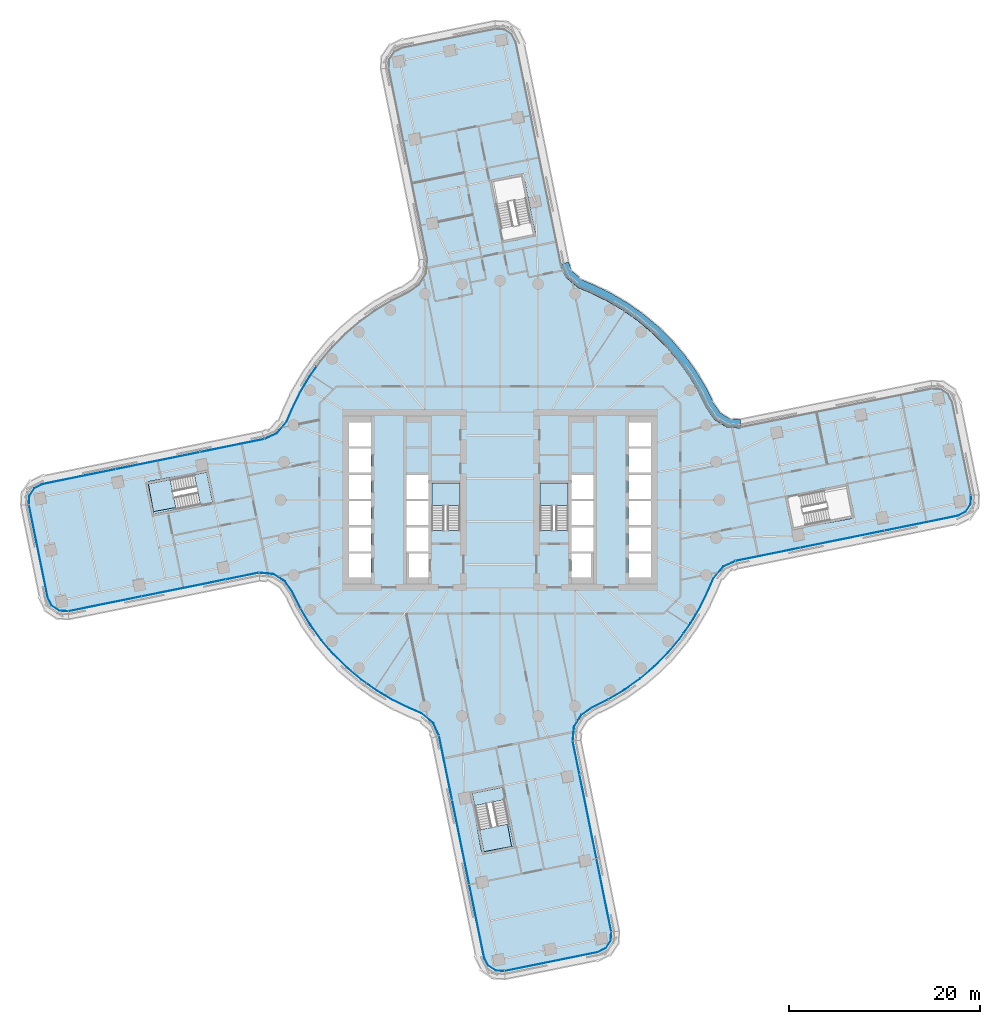
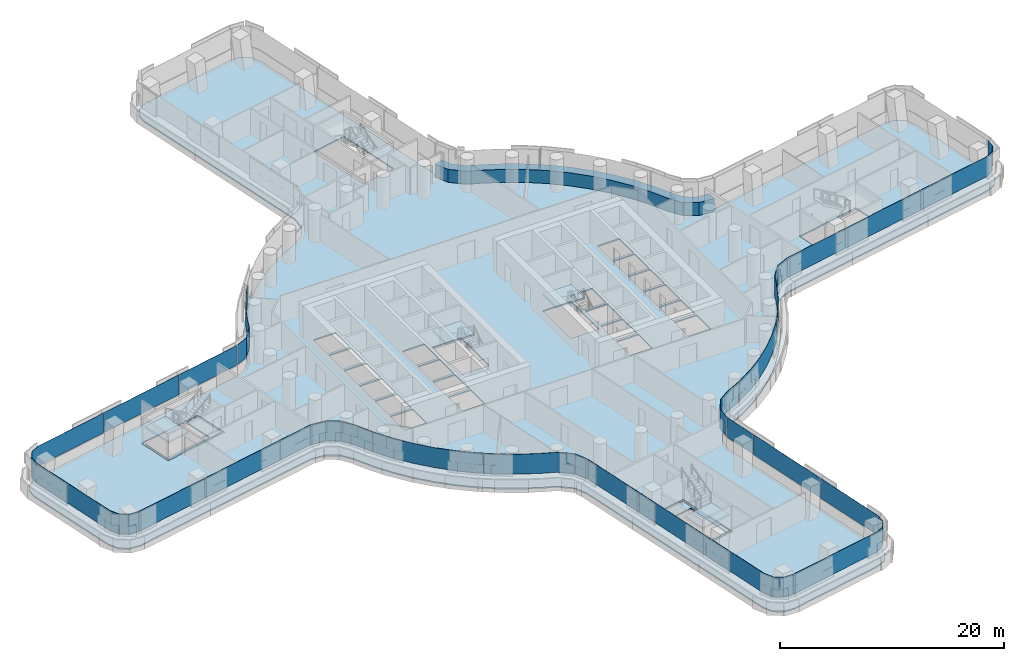
# One storey, part 16 of 31: 24 plates, 7 slabs, 1 member, 15 elements without a shape of their own.
"""IFC4 building model written with IfcOpenShell, lengths in metres."""

from ifc_helpers import new_model, si_unit, direction, frame, origin, place, context, subcontext, project, spatial, polyline, outline, extrude, material, layer, layer_set, type_object, element, aggregate, save


model = new_model("IFC4")

# Units and contexts
model_context = context("Model", 3, precision=1e-05, world=origin(), true_north=direction((0.0, 1.0)))
body_context = subcontext(model_context, "Body", "Model", "MODEL_VIEW")
ifc_project = project(units=[si_unit("LENGTHUNIT", "METRE"), si_unit("AREAUNIT", "SQUARE_METRE"), si_unit("VOLUMEUNIT", "CUBIC_METRE"), si_unit("PLANEANGLEUNIT", "RADIAN"), si_unit("MASSUNIT", "GRAM", prefix="KILO")], contexts=[model_context])

# Site, building, storey
site_placement = place(None, origin())
site = spatial("IfcSite", under=ifc_project, at=site_placement, CompositionType="ELEMENT")
building_placement = place(site_placement, origin())
building = spatial("IfcBuilding", under=site, at=building_placement, Name="Tamarind Cross Interchange Tower", CompositionType="ELEMENT")
storey_placement = place(building_placement, frame((0.0, 0.0, 75.25)))
storey = spatial("IfcBuildingStorey", under=building, at=storey_placement, Name="L17", CompositionType="ELEMENT", Elevation=75.25)

# Curtain wall, member
ifc_material_1 = material(Name="Aluminium 6063-T6", Category="aluminium")
ifc_layer_1 = layer(ifc_material_1, 0.159912109375)
ifc_layer_set_1 = layer_set([ifc_layer_1], Name="Aluminium 6063-T6")
curtain_wall_type = type_object("IfcCurtainWallType", Name="Office curtain wall, 9.0 m bays", PredefinedType="NOTDEFINED", material=ifc_layer_set_1)
curtain_wall_1_placement = place(storey_placement, origin())
curtain_wall_1 = element("IfcCurtainWall", 1, at=curtain_wall_1_placement, inside=storey, type_object=curtain_wall_type, Name="CWS-L17-10", PredefinedType="NOTDEFINED")
ifc_material_2 = material(Name="Aluminium and insulated spandrel panel", Category="aluminium")
member_type = type_object("IfcMemberType", Name="Floor-edge blade transom", PredefinedType="USERDEFINED", material=ifc_material_2)
member_placement = place(storey_placement, origin())
member = element("IfcMember", 2, at=member_placement, type_object=member_type, Name="CWT-L17-10", ObjectType="TRANSOM", PredefinedType="USERDEFINED", context=body_context, shape_type="SweptSolid", body=[
    extrude(outline(polyline([(25.258544921875, 7.525634765625), (23.710205078125, 7.6728515625), (22.468505859375, 8.43994140625), (21.674072265625, 9.58056640625), (20.791015625, 11.367431640625), (19.78125, 13.045654296875), (18.636474609375, 14.634521484375), (17.3642578125, 16.12353515625), (15.973388671875, 17.50244140625), (14.4736328125, 18.76171875), (12.874755859375, 19.892822265625), (11.188232421875, 20.88818359375), (9.421142578125, 21.742431640625), (8.19677734375, 22.25439453125), (6.897705078125, 23.34326171875), (6.294921875, 24.6669921875), (7.156494140625, 24.94677734375), (7.632080078125, 23.90185546875), (8.670166015625, 23.031982421875), (9.790771484375, 22.5634765625), (11.613525390625, 21.68212890625), (13.3642578125, 20.64892578125), (15.023681640625, 19.474853515625), (16.580810546875, 18.167724609375), (18.0244140625, 16.736572265625), (19.344970703125, 15.19091796875), (20.533203125, 13.54150390625), (21.581298828125, 11.799560546875), (22.451171875, 10.03955078125), (23.100341796875, 9.107421875), (24.00439453125, 8.548828125), (25.211181640625, 8.434326171875), (25.258544921875, 7.525634765625)])), origin(), (0.0, 0.0, 1.0), 1.39990234375),
])
aggregate(curtain_wall_1, [member])

# Slabs
ifc_material_3 = material(Name="Concrete C35", Category="concrete")
ifc_layer_2 = layer(ifc_material_3, 0.139892578125)
ifc_layer_set_2 = layer_set([ifc_layer_2], Name="Concrete C35")
slab_type_1 = type_object("IfcSlabType", Name="Composite slab 140 Concrete C35", PredefinedType="FLOOR", material=ifc_layer_set_2)
slab_1_placement = place(storey_placement, frame((0.0, 0.0, -0.139892578125)))
element("IfcSlab", 3, at=slab_1_placement, inside=storey, type_object=slab_type_1, Name="Floor slab L17", PredefinedType="FLOOR", context=body_context, shape_type="SweptSolid", body=[
    extrude(outline(polyline([(-23.529541015625, 7.142578125), (-24.76025390625, 6.58203125), (-48.018798828125, 1.85302734375), (-48.945556640625, 1.39111328125), (-49.51708984375, 0.528076171875), (-49.580322265625, -0.50537109375), (-47.587890625, -10.304931640625), (-47.126220703125, -11.2314453125), (-46.2626953125, -11.802978515625), (-45.2294921875, -11.8662109375), (-25.242919921875, -7.82861328125), (-23.808349609375, -7.96484375), (-22.67919921875, -8.66259765625), (-21.93310546875, -9.7333984375), (-21.054443359375, -11.511474609375), (-20.031982421875, -13.2109375), (-18.87255859375, -14.820068359375), (-17.584228515625, -16.327880859375), (-16.17578125, -17.72412109375), (-14.656982421875, -18.99951171875), (-13.0380859375, -20.14501953125), (-11.329833984375, -21.15283203125), (-9.54443359375, -22.01611328125), (-8.354736328125, -22.513427734375), (-7.142578125, -23.529541015625), (-6.58203125, -24.76025390625), (-1.85302734375, -48.018798828125), (-1.39111328125, -48.945556640625), (-0.528076171875, -49.51708984375), (0.50537109375, -49.580322265625), (10.304931640625, -47.587890625), (11.2314453125, -47.126220703125), (11.802978515625, -46.2626953125), (11.8662109375, -45.2294921875), (7.82861328125, -25.242919921875), (7.96484375, -23.808349609375), (8.66259765625, -22.67919921875), (9.7333984375, -21.93310546875), (11.511474609375, -21.054443359375), (13.2109375, -20.031982421875), (14.820068359375, -18.87255859375), (16.327880859375, -17.584228515625), (17.72412109375, -16.17578125), (18.99951171875, -14.656982421875), (20.14501953125, -13.0380859375), (21.15283203125, -11.329833984375), (22.01611328125, -9.54443359375), (22.513427734375, -8.354736328125), (23.529541015625, -7.142578125), (24.76025390625, -6.58203125), (48.018798828125, -1.85302734375), (48.945556640625, -1.39111328125), (49.51708984375, -0.528076171875), (49.580322265625, 0.50537109375), (47.587890625, 10.304931640625), (47.126220703125, 11.2314453125), (46.2626953125, 11.802978515625), (45.2294921875, 11.8662109375), (25.242919921875, 7.82861328125), (23.808349609375, 7.96484375), (22.67919921875, 8.66259765625), (21.93310546875, 9.7333984375), (21.054443359375, 11.511474609375), (20.031982421875, 13.2109375), (18.87255859375, 14.820068359375), (17.584228515625, 16.327880859375), (16.17578125, 17.72412109375), (14.656982421875, 18.99951171875), (13.0380859375, 20.14501953125), (11.329833984375, 21.15283203125), (9.54443359375, 22.01611328125), (8.354736328125, 22.513427734375), (7.142578125, 23.529541015625), (6.58203125, 24.76025390625), (1.85302734375, 48.018798828125), (1.39111328125, 48.945556640625), (0.528076171875, 49.51708984375), (-0.50537109375, 49.580322265625), (-10.304931640625, 47.587890625), (-11.2314453125, 47.126220703125), (-11.802978515625, 46.2626953125), (-11.8662109375, 45.2294921875), (-7.82861328125, 25.242919921875), (-7.96484375, 23.808349609375), (-8.66259765625, 22.67919921875), (-9.7333984375, 21.93310546875), (-11.511474609375, 21.054443359375), (-13.2109375, 20.031982421875), (-14.820068359375, 18.87255859375), (-16.327880859375, 17.584228515625), (-17.72412109375, 16.17578125), (-18.99951171875, 14.656982421875), (-20.14501953125, 13.0380859375), (-21.15283203125, 11.329833984375), (-22.01611328125, 9.54443359375), (-22.513427734375, 8.354736328125), (-23.529541015625, 7.142578125)]), holes=[polyline([(-13.5, -8.125), (-15.800048828125, -8.125), (-15.800048828125, -5.625), (-13.5, -5.625), (-13.5, -8.125)]), polyline([(-13.5, -5.375), (-15.800048828125, -5.375), (-15.800048828125, -2.875), (-13.5, -2.875), (-13.5, -5.375)]), polyline([(-7.5, -5.375), (-9.800048828125, -5.375), (-9.800048828125, -2.875), (-7.5, -2.875), (-7.5, -5.375)]), polyline([(-15.800048828125, -2.625), (-15.800048828125, -0.125), (-13.5, -0.125), (-13.5, -2.625), (-15.800048828125, -2.625)]), polyline([(-9.800048828125, -2.625), (-9.800048828125, -0.125), (-7.5, -0.125), (-7.5, -2.625), (-9.800048828125, -2.625)]), polyline([(-29.8828125, -0.378173828125), (-36.448486328125, -1.713134765625), (-36.48828125, -1.51708984375), (-37.125732421875, 1.61865234375), (-37.16552734375, 1.814697265625), (-36.88623046875, 1.87158203125), (-36.897216796875, 1.930419921875), (-33.662109375, 2.527099609375), (-30.60009765625, 3.149658203125), (-30.56005859375, 2.95361328125), (-29.922607421875, -0.18212890625), (-29.8828125, -0.378173828125)]), polyline([(-15.800048828125, 0.125), (-15.800048828125, 2.625), (-13.5, 2.625), (-13.5, 0.125), (-15.800048828125, 0.125)]), polyline([(-7.5, 0.125), (-9.800048828125, 0.125), (-9.800048828125, 2.625), (-7.5, 2.625), (-7.5, 0.125)]), polyline([(-13.5, 2.875), (-15.800048828125, 2.875), (-15.800048828125, 5.375), (-13.5, 5.375), (-13.5, 2.875)]), polyline([(-15.800048828125, 5.625), (-15.800048828125, 8.125), (-13.5, 8.125), (-13.5, 5.625), (-15.800048828125, 5.625)]), polyline([(1.713134765625, -36.448486328125), (1.51708984375, -36.48828125), (-1.61865234375, -37.125732421875), (-1.814697265625, -37.16552734375), (-1.87158203125, -36.88623046875), (-1.930419921875, -36.897216796875), (-2.527099609375, -33.662109375), (-3.149658203125, -30.60009765625), (-2.95361328125, -30.56005859375), (0.18212890625, -29.922607421875), (0.378173828125, -29.8828125), (1.713134765625, -36.448486328125)]), polyline([(-9.800048828125, -8.125), (-9.800048828125, -5.625), (-7.5, -5.625), (-7.5, -8.125), (-9.800048828125, -8.125)]), polyline([(-4.199951171875, -3.18798828125), (-7.14990234375, -3.18798828125), (-7.14990234375, 1.800048828125), (-4.199951171875, 1.800048828125), (-4.199951171875, -3.18798828125)]), polyline([(7.14990234375, 1.800048828125), (7.14990234375, -3.18798828125), (4.199951171875, -3.18798828125), (4.199951171875, 1.800048828125), (7.14990234375, 1.800048828125)]), polyline([(7.5, 2.625), (9.800048828125, 2.625), (9.800048828125, 0.125), (7.5, 0.125), (7.5, 2.625)]), polyline([(3.747314453125, 27.66015625), (3.551513671875, 27.620361328125), (0.41552734375, 26.982666015625), (0.219482421875, 26.94287109375), (-1.115478515625, 33.508544921875), (-0.91943359375, 33.54833984375), (2.216552734375, 34.185791015625), (2.412353515625, 34.225830078125), (2.469482421875, 33.94580078125), (2.474609375, 33.94677734375), (2.527099609375, 33.662109375), (3.747314453125, 27.66015625)]), polyline([(7.5, -5.625), (9.800048828125, -5.625), (9.800048828125, -8.125), (7.5, -8.125), (7.5, -5.625)]), polyline([(15.800048828125, -5.625), (15.800048828125, -8.125), (13.5, -8.125), (13.5, -5.625), (15.800048828125, -5.625)]), polyline([(9.800048828125, -2.875), (9.800048828125, -5.375), (7.5, -5.375), (7.5, -2.875), (9.800048828125, -2.875)]), polyline([(13.5, -2.875), (15.800048828125, -2.875), (15.800048828125, -5.375), (13.5, -5.375), (13.5, -2.875)]), polyline([(30.60009765625, -3.149658203125), (30.56005859375, -2.95361328125), (29.922607421875, 0.18212890625), (29.8828125, 0.378173828125), (36.448486328125, 1.713134765625), (36.48828125, 1.51708984375), (37.125732421875, -1.61865234375), (37.16552734375, -1.814697265625), (36.88623046875, -1.87158203125), (36.897216796875, -1.930419921875), (33.662109375, -2.527099609375), (30.60009765625, -3.149658203125)]), polyline([(7.5, -0.125), (9.800048828125, -0.125), (9.800048828125, -2.625), (7.5, -2.625), (7.5, -0.125)]), polyline([(15.800048828125, -0.125), (15.800048828125, -2.625), (13.5, -2.625), (13.5, -0.125), (15.800048828125, -0.125)]), polyline([(13.5, 2.625), (15.800048828125, 2.625), (15.800048828125, 0.125), (13.5, 0.125), (13.5, 2.625)]), polyline([(15.800048828125, 5.375), (15.800048828125, 2.875), (13.5, 2.875), (13.5, 5.375), (15.800048828125, 5.375)]), polyline([(15.800048828125, 8.125), (15.800048828125, 5.625), (13.5, 5.625), (13.5, 8.125), (15.800048828125, 8.125)])]), origin(), (0.0, 0.0, 1.0), 0.139892578125),
])
slab_2_placement = place(storey_placement, frame((0.0, 0.0, -0.139892578125)))
element("IfcSlab", 4, at=slab_2_placement, inside=storey, type_object=slab_type_1, Name="Floor slab L17", PredefinedType="FLOOR", context=body_context, shape_type="SweptSolid", body=[
    extrude(outline(polyline([(-36.9296875, 1.65869140625), (-36.292236328125, -1.477294921875), (-30.118408203125, -0.221923828125), (-30.756103515625, 2.913818359375), (-31.961181640625, 2.668701171875), (-32.041748046875, 2.65234375), (-31.43798828125, -0.31689453125), (-36.31689453125, -1.21630859375), (-36.849853515625, 1.6748046875), (-36.9296875, 1.65869140625)])), origin(), (0.0, 0.0, 1.0), 0.139892578125),
])
slab_3_placement = place(storey_placement, frame((0.0, 0.0, -0.139892578125)))
element("IfcSlab", 5, at=slab_3_placement, inside=storey, type_object=slab_type_1, Name="Floor slab L17", PredefinedType="FLOOR", context=body_context, shape_type="SweptSolid", body=[
    extrude(outline(polyline([(-1.65869140625, -36.9296875), (1.477294921875, -36.292236328125), (0.221923828125, -30.118408203125), (-2.913818359375, -30.756103515625), (-2.668701171875, -31.961181640625), (-2.65234375, -32.041748046875), (0.31689453125, -31.43798828125), (1.21630859375, -36.31689453125), (-1.6748046875, -36.849853515625), (-1.65869140625, -36.9296875)])), origin(), (0.0, 0.0, 1.0), 0.139892578125),
])

# Stair, slab
ifc_material_4 = material(Name="Exit stair")
stair_type = type_object("IfcStairType", Name="Exit stair", PredefinedType="HALF_TURN_STAIR", material=ifc_material_4)
stair_1_placement = place(storey_placement, origin())
stair_1 = element("IfcStair", 6, at=stair_1_placement, inside=storey, type_object=stair_type, Name="L17 exit stair ST1", PredefinedType="HALF_TURN_STAIR")
ifc_material_5 = material(Name="Concrete C40", Category="concrete")
ifc_layer_3 = layer(ifc_material_5, 0.199951171875)
ifc_layer_set_3 = layer_set([ifc_layer_3], Name="Concrete C40")
slab_type_2 = type_object("IfcSlabType", Name="Stair landing", PredefinedType="LANDING", material=ifc_layer_set_3)
slab_4_placement = place(storey_placement, frame((0.0, 0.0, 1.675048828125)))
slab_4 = element("IfcSlab", 7, at=slab_4_placement, type_object=slab_type_2, Name="ST1 landing 1", PredefinedType="LANDING", context=body_context, shape_type="SweptSolid", body=[
    extrude(outline(polyline([(-4.199951171875, -0.60009765625), (-4.199951171875, 1.800048828125), (-7.14990234375, 1.800048828125), (-7.14990234375, -0.60009765625), (-4.199951171875, -0.60009765625)])), origin(), (0.0, 0.0, 1.0), 0.199951171875),
])
aggregate(stair_1, [slab_4])

stair_2_placement = place(storey_placement, origin())
stair_2 = element("IfcStair", 8, at=stair_2_placement, inside=storey, type_object=stair_type, Name="L17 exit stair ST2", PredefinedType="HALF_TURN_STAIR")
slab_5_placement = place(storey_placement, frame((0.0, 0.0, 1.675048828125)))
slab_5 = element("IfcSlab", 9, at=slab_5_placement, type_object=slab_type_2, Name="ST2 landing 1", PredefinedType="LANDING", context=body_context, shape_type="SweptSolid", body=[
    extrude(outline(polyline([(7.14990234375, -0.60009765625), (7.14990234375, 1.800048828125), (4.199951171875, 1.800048828125), (4.199951171875, -0.60009765625), (7.14990234375, -0.60009765625)])), origin(), (0.0, 0.0, 1.0), 0.199951171875),
])
aggregate(stair_2, [slab_5])

stair_3_placement = place(storey_placement, origin())
stair_3 = element("IfcStair", 10, at=stair_3_placement, inside=storey, type_object=stair_type, Name="L17 exit stair ST5", PredefinedType="HALF_TURN_STAIR")
slab_6_placement = place(storey_placement, frame((0.0, 0.0, 1.675048828125)))
slab_6 = element("IfcSlab", 11, at=slab_6_placement, type_object=slab_type_2, Name="ST5 landing 1", PredefinedType="LANDING", context=body_context, shape_type="SweptSolid", body=[
    extrude(outline(polyline([(-34.566162109375, 2.13916015625), (-36.9296875, 1.658447265625), (-36.292236328125, -1.477294921875), (-33.928466796875, -0.99658203125), (-34.566162109375, 2.13916015625)])), origin(), (0.0, 0.0, 1.0), 0.199951171875),
])
aggregate(stair_3, [slab_6])

stair_4_placement = place(storey_placement, origin())
stair_4 = element("IfcStair", 12, at=stair_4_placement, inside=storey, type_object=stair_type, Name="L17 exit stair ST6", PredefinedType="HALF_TURN_STAIR")
slab_7_placement = place(storey_placement, frame((0.0, 0.0, 1.675048828125)))
slab_7 = element("IfcSlab", 13, at=slab_7_placement, type_object=slab_type_2, Name="ST6 landing 1", PredefinedType="LANDING", context=body_context, shape_type="SweptSolid", body=[
    extrude(outline(polyline([(-2.13916015625, -34.566162109375), (-1.658447265625, -36.9296875), (1.477294921875, -36.292236328125), (0.99658203125, -33.928466796875), (-2.13916015625, -34.566162109375)])), origin(), (0.0, 0.0, 1.0), 0.199951171875),
])
aggregate(stair_4, [slab_7])

# Curtain wall, plate
curtain_wall_2_placement = place(storey_placement, origin())
curtain_wall_2 = element("IfcCurtainWall", 14, at=curtain_wall_2_placement, inside=storey, type_object=curtain_wall_type, Name="CWS-L17-00", PredefinedType="NOTDEFINED")
ifc_material_6 = material(Name="Laminated low-e glass 8+1.52+8", Category="glass")
ifc_layer_4 = layer(ifc_material_6, 0.028076171875)
ifc_layer_set_4 = layer_set([ifc_layer_4], Name="Laminated low-e glass 8+1.52+8")
plate_type = type_object("IfcPlateType", Name="Vision panel CW1", PredefinedType="CURTAIN_PANEL", material=ifc_layer_set_4)
plate_1_placement = place(storey_placement, frame((0.0, 0.0, 1.39990234375)))
plate_1 = element("IfcPlate", 15, at=plate_1_placement, type_object=plate_type, Name="CWP-L17-00-00", PredefinedType="CURTAIN_PANEL", context=body_context, shape_type="SweptSolid", body=[
    extrude(outline(polyline([(-49.359375, -0.517822265625), (-47.3837890625, -10.234619140625), (-46.960205078125, -11.084716796875), (-46.192626953125, -11.5927734375), (-45.2724609375, -11.649169921875), (-45.274169921875, -11.67724609375), (-46.20166015625, -11.620361328125), (-46.98193359375, -11.103759765625), (-47.410400390625, -10.243896484375), (-49.386962890625, -0.5234375), (-49.359375, -0.517822265625)])), origin(), (0.0, 0.0, 1.0), 2.170166015625),
])
aggregate(curtain_wall_2, [plate_1])

# Curtain wall, plates
curtain_wall_3_placement = place(storey_placement, origin())
curtain_wall_3 = element("IfcCurtainWall", 16, at=curtain_wall_3_placement, inside=storey, type_object=curtain_wall_type, Name="CWS-L17-01", PredefinedType="NOTDEFINED")
plate_2_placement = place(storey_placement, frame((0.0, 0.0, 1.39990234375)))
plate_2 = element("IfcPlate", 17, at=plate_2_placement, type_object=plate_type, Name="CWP-L17-01-00", PredefinedType="CURTAIN_PANEL", context=body_context, shape_type="SweptSolid", body=[
    extrude(outline(polyline([(-45.216796875, -11.6455078125), (-37.601318359375, -10.10693359375), (-37.595703125, -10.13427734375), (-45.211181640625, -11.6728515625), (-45.216796875, -11.6455078125)])), origin(), (0.0, 0.0, 1.0), 2.170166015625),
])
plate_3_placement = place(storey_placement, frame((0.0, 0.0, 1.39990234375)))
plate_3 = element("IfcPlate", 18, at=plate_3_placement, type_object=plate_type, Name="CWP-L17-01-01", PredefinedType="CURTAIN_PANEL", context=body_context, shape_type="SweptSolid", body=[
    extrude(outline(polyline([(-37.54248046875, -10.094970703125), (-28.778076171875, -8.324462890625), (-28.7724609375, -8.351806640625), (-37.536865234375, -10.122314453125), (-37.54248046875, -10.094970703125)])), origin(), (0.0, 0.0, 1.0), 2.170166015625),
])
plate_4_placement = place(storey_placement, frame((0.0, 0.0, 1.39990234375)))
plate_4 = element("IfcPlate", 19, at=plate_4_placement, type_object=plate_type, Name="CWP-L17-01-02", PredefinedType="CURTAIN_PANEL", context=body_context, shape_type="SweptSolid", body=[
    extrude(outline(polyline([(-28.71923828125, -8.3125), (-25.28564453125, -7.618896484375), (-25.280029296875, -7.646240234375), (-28.713623046875, -8.33984375), (-28.71923828125, -8.3125)])), origin(), (0.0, 0.0, 1.0), 2.170166015625),
])
aggregate(curtain_wall_3, [plate_2, plate_3, plate_4])

curtain_wall_4_placement = place(storey_placement, origin())
curtain_wall_4 = element("IfcCurtainWall", 20, at=curtain_wall_4_placement, inside=storey, type_object=curtain_wall_type, Name="CWS-L17-02", PredefinedType="NOTDEFINED")
plate_5_placement = place(storey_placement, frame((0.0, 0.0, 1.39990234375)))
plate_5 = element("IfcPlate", 21, at=plate_5_placement, type_object=plate_type, Name="CWP-L17-02-00", PredefinedType="CURTAIN_PANEL", context=body_context, shape_type="SweptSolid", body=[
    extrude(outline(polyline([(-25.22216796875, -7.615478515625), (-23.73828125, -7.756591796875), (-22.52880859375, -8.503662109375), (-21.748291015625, -9.624267578125), (-20.90869140625, -11.323486328125), (-20.933837890625, -11.3359375), (-21.7724609375, -9.638671875), (-22.548583984375, -8.5244140625), (-23.74755859375, -7.783935546875), (-25.224853515625, -7.643310546875), (-25.22216796875, -7.615478515625)])), origin(), (0.0, 0.0, 1.0), 2.170166015625),
])
plate_6_placement = place(storey_placement, frame((0.0, 0.0, 1.39990234375)))
plate_6 = element("IfcPlate", 22, at=plate_6_placement, type_object=plate_type, Name="CWP-L17-02-01", PredefinedType="CURTAIN_PANEL", context=body_context, shape_type="SweptSolid", body=[
    extrude(outline(polyline([(-20.882080078125, -11.377197265625), (-20.866455078125, -11.40869140625), (-19.85302734375, -13.093017578125), (-18.7041015625, -14.687744140625), (-17.42724609375, -16.18212890625), (-16.031494140625, -17.56591796875), (-14.526123046875, -18.829833984375), (-14.0234375, -19.185546875), (-14.03955078125, -19.20849609375), (-14.543212890625, -18.85205078125), (-16.05029296875, -17.586669921875), (-17.44775390625, -16.201171875), (-18.72607421875, -14.705078125), (-19.87646484375, -13.1083984375), (-20.89111328125, -11.422119140625), (-20.9072265625, -11.3896484375), (-20.882080078125, -11.377197265625)])), origin(), (0.0, 0.0, 1.0), 2.170166015625),
])
plate_7_placement = place(storey_placement, frame((0.0, 0.0, 1.39990234375)))
plate_7 = element("IfcPlate", 23, at=plate_7_placement, type_object=plate_type, Name="CWP-L17-02-02", PredefinedType="CURTAIN_PANEL", context=body_context, shape_type="SweptSolid", body=[
    extrude(outline(polyline([(-13.974365234375, -19.22021484375), (-12.921630859375, -19.965087890625), (-11.228759765625, -20.9638671875), (-9.45654296875, -21.821044921875), (-8.2421875, -22.32861328125), (-6.9677734375, -23.396728515625), (-6.39013671875, -24.6650390625), (-6.415771484375, -24.676513671875), (-6.99072265625, -23.4140625), (-8.2568359375, -22.352783203125), (-9.468017578125, -21.846435546875), (-11.241943359375, -20.98876953125), (-12.936767578125, -19.988525390625), (-13.990478515625, -19.2431640625), (-13.974365234375, -19.22021484375)])), origin(), (0.0, 0.0, 1.0), 2.170166015625),
])
aggregate(curtain_wall_4, [plate_5, plate_6, plate_7])

curtain_wall_5_placement = place(storey_placement, origin())
curtain_wall_5 = element("IfcCurtainWall", 24, at=curtain_wall_5_placement, inside=storey, type_object=curtain_wall_type, Name="CWS-L17-03", PredefinedType="NOTDEFINED")
plate_8_placement = place(storey_placement, frame((0.0, 0.0, 1.39990234375)))
plate_8 = element("IfcPlate", 25, at=plate_8_placement, type_object=plate_type, Name="CWP-L17-03-00", PredefinedType="CURTAIN_PANEL", context=body_context, shape_type="SweptSolid", body=[
    extrude(outline(polyline([(-6.370849609375, -24.724609375), (-5.0068359375, -31.432861328125), (-5.034423828125, -31.4384765625), (-6.398193359375, -24.730224609375), (-6.370849609375, -24.724609375)])), origin(), (0.0, 0.0, 1.0), 2.170166015625),
])
plate_9_placement = place(storey_placement, frame((0.0, 0.0, 1.39990234375)))
plate_9 = element("IfcPlate", 26, at=plate_9_placement, type_object=plate_type, Name="CWP-L17-03-01", PredefinedType="CURTAIN_PANEL", context=body_context, shape_type="SweptSolid", body=[
    extrude(outline(polyline([(-4.994873046875, -31.49169921875), (-3.214111328125, -40.2509765625), (-3.241455078125, -40.256591796875), (-5.0224609375, -31.497314453125), (-4.994873046875, -31.49169921875)])), origin(), (0.0, 0.0, 1.0), 2.170166015625),
])
plate_10_placement = place(storey_placement, frame((0.0, 0.0, 1.39990234375)))
plate_10 = element("IfcPlate", 27, at=plate_10_placement, type_object=plate_type, Name="CWP-L17-03-02", PredefinedType="CURTAIN_PANEL", context=body_context, shape_type="SweptSolid", body=[
    extrude(outline(polyline([(-3.2021484375, -40.309814453125), (-1.64892578125, -47.94873046875), (-1.225341796875, -48.798828125), (-0.45751953125, -49.306884765625), (0.462158203125, -49.36328125), (0.46044921875, -49.391357421875), (-0.466796875, -49.33447265625), (-1.2470703125, -48.81787109375), (-1.675537109375, -47.957763671875), (-3.2294921875, -40.3154296875), (-3.2021484375, -40.309814453125)])), origin(), (0.0, 0.0, 1.0), 2.170166015625),
])
aggregate(curtain_wall_5, [plate_8, plate_9, plate_10])

# Curtain wall, plate
curtain_wall_6_placement = place(storey_placement, origin())
curtain_wall_6 = element("IfcCurtainWall", 28, at=curtain_wall_6_placement, inside=storey, type_object=curtain_wall_type, Name="CWS-L17-04", PredefinedType="NOTDEFINED")
plate_11_placement = place(storey_placement, frame((0.0, 0.0, 1.39990234375)))
plate_11 = element("IfcPlate", 29, at=plate_11_placement, type_object=plate_type, Name="CWP-L17-04-00", PredefinedType="CURTAIN_PANEL", context=body_context, shape_type="SweptSolid", body=[
    extrude(outline(polyline([(0.517822265625, -49.359375), (10.234619140625, -47.3837890625), (11.084716796875, -46.960205078125), (11.5927734375, -46.192626953125), (11.649169921875, -45.2724609375), (11.67724609375, -45.274169921875), (11.620361328125, -46.20166015625), (11.103759765625, -46.98193359375), (10.243896484375, -47.410400390625), (0.5234375, -49.386962890625), (0.517822265625, -49.359375)])), origin(), (0.0, 0.0, 1.0), 2.170166015625),
])
aggregate(curtain_wall_6, [plate_11])

# Curtain wall, plates
curtain_wall_7_placement = place(storey_placement, origin())
curtain_wall_7 = element("IfcCurtainWall", 30, at=curtain_wall_7_placement, inside=storey, type_object=curtain_wall_type, Name="CWS-L17-05", PredefinedType="NOTDEFINED")
plate_12_placement = place(storey_placement, frame((0.0, 0.0, 1.39990234375)))
plate_12 = element("IfcPlate", 31, at=plate_12_placement, type_object=plate_type, Name="CWP-L17-05-00", PredefinedType="CURTAIN_PANEL", context=body_context, shape_type="SweptSolid", body=[
    extrude(outline(polyline([(11.6455078125, -45.216796875), (10.10693359375, -37.601318359375), (10.13427734375, -37.595703125), (11.6728515625, -45.211181640625), (11.6455078125, -45.216796875)])), origin(), (0.0, 0.0, 1.0), 2.170166015625),
])
plate_13_placement = place(storey_placement, frame((0.0, 0.0, 1.39990234375)))
plate_13 = element("IfcPlate", 32, at=plate_13_placement, type_object=plate_type, Name="CWP-L17-05-01", PredefinedType="CURTAIN_PANEL", context=body_context, shape_type="SweptSolid", body=[
    extrude(outline(polyline([(10.094970703125, -37.54248046875), (8.324462890625, -28.778076171875), (8.351806640625, -28.7724609375), (10.122314453125, -37.536865234375), (10.094970703125, -37.54248046875)])), origin(), (0.0, 0.0, 1.0), 2.170166015625),
])
plate_14_placement = place(storey_placement, frame((0.0, 0.0, 1.39990234375)))
plate_14 = element("IfcPlate", 33, at=plate_14_placement, type_object=plate_type, Name="CWP-L17-05-02", PredefinedType="CURTAIN_PANEL", context=body_context, shape_type="SweptSolid", body=[
    extrude(outline(polyline([(8.3125, -28.71923828125), (7.618896484375, -25.28564453125), (7.646240234375, -25.280029296875), (8.33984375, -28.713623046875), (8.3125, -28.71923828125)])), origin(), (0.0, 0.0, 1.0), 2.170166015625),
])
aggregate(curtain_wall_7, [plate_12, plate_13, plate_14])

curtain_wall_8_placement = place(storey_placement, origin())
curtain_wall_8 = element("IfcCurtainWall", 34, at=curtain_wall_8_placement, inside=storey, type_object=curtain_wall_type, Name="CWS-L17-06", PredefinedType="NOTDEFINED")
plate_15_placement = place(storey_placement, frame((0.0, 0.0, 1.39990234375)))
plate_15 = element("IfcPlate", 35, at=plate_15_placement, type_object=plate_type, Name="CWP-L17-06-00", PredefinedType="CURTAIN_PANEL", context=body_context, shape_type="SweptSolid", body=[
    extrude(outline(polyline([(7.615478515625, -25.22216796875), (7.756591796875, -23.73828125), (8.503662109375, -22.52880859375), (9.624267578125, -21.748291015625), (11.323486328125, -20.90869140625), (11.3359375, -20.933837890625), (9.638671875, -21.7724609375), (8.5244140625, -22.548583984375), (7.783935546875, -23.74755859375), (7.643310546875, -25.224853515625), (7.615478515625, -25.22216796875)])), origin(), (0.0, 0.0, 1.0), 2.170166015625),
])
plate_16_placement = place(storey_placement, frame((0.0, 0.0, 1.39990234375)))
plate_16 = element("IfcPlate", 36, at=plate_16_placement, type_object=plate_type, Name="CWP-L17-06-01", PredefinedType="CURTAIN_PANEL", context=body_context, shape_type="SweptSolid", body=[
    extrude(outline(polyline([(11.377197265625, -20.882080078125), (11.40869140625, -20.866455078125), (13.093017578125, -19.85302734375), (14.687744140625, -18.7041015625), (16.18212890625, -17.42724609375), (17.56591796875, -16.031494140625), (18.829833984375, -14.526123046875), (19.185546875, -14.0234375), (19.20849609375, -14.03955078125), (18.85205078125, -14.543212890625), (17.586669921875, -16.05029296875), (16.201171875, -17.44775390625), (14.705078125, -18.72607421875), (13.1083984375, -19.87646484375), (11.422119140625, -20.89111328125), (11.3896484375, -20.9072265625), (11.377197265625, -20.882080078125)])), origin(), (0.0, 0.0, 1.0), 2.170166015625),
])
plate_17_placement = place(storey_placement, frame((0.0, 0.0, 1.39990234375)))
plate_17 = element("IfcPlate", 37, at=plate_17_placement, type_object=plate_type, Name="CWP-L17-06-02", PredefinedType="CURTAIN_PANEL", context=body_context, shape_type="SweptSolid", body=[
    extrude(outline(polyline([(19.22021484375, -13.974365234375), (19.965087890625, -12.921630859375), (20.9638671875, -11.228759765625), (21.821044921875, -9.45654296875), (22.32861328125, -8.2421875), (23.396728515625, -6.9677734375), (24.6650390625, -6.39013671875), (24.676513671875, -6.415771484375), (23.4140625, -6.99072265625), (22.352783203125, -8.2568359375), (21.846435546875, -9.468017578125), (20.98876953125, -11.241943359375), (19.988525390625, -12.936767578125), (19.2431640625, -13.990478515625), (19.22021484375, -13.974365234375)])), origin(), (0.0, 0.0, 1.0), 2.170166015625),
])
aggregate(curtain_wall_8, [plate_15, plate_16, plate_17])

curtain_wall_9_placement = place(storey_placement, origin())
curtain_wall_9 = element("IfcCurtainWall", 38, at=curtain_wall_9_placement, inside=storey, type_object=curtain_wall_type, Name="CWS-L17-07", PredefinedType="NOTDEFINED")
plate_18_placement = place(storey_placement, frame((0.0, 0.0, 1.39990234375)))
plate_18 = element("IfcPlate", 39, at=plate_18_placement, type_object=plate_type, Name="CWP-L17-07-00", PredefinedType="CURTAIN_PANEL", context=body_context, shape_type="SweptSolid", body=[
    extrude(outline(polyline([(24.724609375, -6.370849609375), (31.432861328125, -5.0068359375), (31.4384765625, -5.034423828125), (24.730224609375, -6.398193359375), (24.724609375, -6.370849609375)])), origin(), (0.0, 0.0, 1.0), 2.170166015625),
])
plate_19_placement = place(storey_placement, frame((0.0, 0.0, 1.39990234375)))
plate_19 = element("IfcPlate", 40, at=plate_19_placement, type_object=plate_type, Name="CWP-L17-07-01", PredefinedType="CURTAIN_PANEL", context=body_context, shape_type="SweptSolid", body=[
    extrude(outline(polyline([(31.49169921875, -4.994873046875), (40.2509765625, -3.214111328125), (40.256591796875, -3.241455078125), (31.497314453125, -5.0224609375), (31.49169921875, -4.994873046875)])), origin(), (0.0, 0.0, 1.0), 2.170166015625),
])
plate_20_placement = place(storey_placement, frame((0.0, 0.0, 1.39990234375)))
plate_20 = element("IfcPlate", 41, at=plate_20_placement, type_object=plate_type, Name="CWP-L17-07-02", PredefinedType="CURTAIN_PANEL", context=body_context, shape_type="SweptSolid", body=[
    extrude(outline(polyline([(40.309814453125, -3.2021484375), (47.94873046875, -1.64892578125), (48.798828125, -1.225341796875), (49.306884765625, -0.45751953125), (49.36328125, 0.462158203125), (49.391357421875, 0.46044921875), (49.33447265625, -0.466796875), (48.81787109375, -1.2470703125), (47.957763671875, -1.675537109375), (40.3154296875, -3.2294921875), (40.309814453125, -3.2021484375)])), origin(), (0.0, 0.0, 1.0), 2.170166015625),
])
aggregate(curtain_wall_9, [plate_18, plate_19, plate_20])

# Curtain wall, plate
curtain_wall_10_placement = place(storey_placement, origin())
curtain_wall_10 = element("IfcCurtainWall", 42, at=curtain_wall_10_placement, inside=storey, type_object=curtain_wall_type, Name="CWS-L17-14", PredefinedType="NOTDEFINED")
plate_21_placement = place(storey_placement, frame((0.0, 0.0, 1.39990234375)))
plate_21 = element("IfcPlate", 43, at=plate_21_placement, type_object=plate_type, Name="CWP-L17-14-02", PredefinedType="CURTAIN_PANEL", context=body_context, shape_type="SweptSolid", body=[
    extrude(outline(polyline([(-19.22021484375, 13.974365234375), (-19.965087890625, 12.921630859375), (-20.9638671875, 11.228759765625), (-21.821044921875, 9.45654296875), (-22.32861328125, 8.2421875), (-23.396728515625, 6.9677734375), (-24.6650390625, 6.39013671875), (-24.676513671875, 6.415771484375), (-23.4140625, 6.99072265625), (-22.352783203125, 8.2568359375), (-21.846435546875, 9.468017578125), (-20.98876953125, 11.241943359375), (-19.988525390625, 12.936767578125), (-19.2431640625, 13.990478515625), (-19.22021484375, 13.974365234375)])), origin(), (0.0, 0.0, 1.0), 2.170166015625),
])
aggregate(curtain_wall_10, [plate_21])

# Curtain wall, plates
curtain_wall_11_placement = place(storey_placement, origin())
curtain_wall_11 = element("IfcCurtainWall", 44, at=curtain_wall_11_placement, inside=storey, type_object=curtain_wall_type, Name="CWS-L17-15", PredefinedType="NOTDEFINED")
plate_22_placement = place(storey_placement, frame((0.0, 0.0, 1.39990234375)))
plate_22 = element("IfcPlate", 45, at=plate_22_placement, type_object=plate_type, Name="CWP-L17-15-00", PredefinedType="CURTAIN_PANEL", context=body_context, shape_type="SweptSolid", body=[
    extrude(outline(polyline([(-24.724609375, 6.370849609375), (-31.432861328125, 5.0068359375), (-31.4384765625, 5.034423828125), (-24.730224609375, 6.398193359375), (-24.724609375, 6.370849609375)])), origin(), (0.0, 0.0, 1.0), 2.170166015625),
])
plate_23_placement = place(storey_placement, frame((0.0, 0.0, 1.39990234375)))
plate_23 = element("IfcPlate", 46, at=plate_23_placement, type_object=plate_type, Name="CWP-L17-15-01", PredefinedType="CURTAIN_PANEL", context=body_context, shape_type="SweptSolid", body=[
    extrude(outline(polyline([(-31.49169921875, 4.994873046875), (-40.2509765625, 3.214111328125), (-40.256591796875, 3.241455078125), (-31.497314453125, 5.0224609375), (-31.49169921875, 4.994873046875)])), origin(), (0.0, 0.0, 1.0), 2.170166015625),
])
plate_24_placement = place(storey_placement, frame((0.0, 0.0, 1.39990234375)))
plate_24 = element("IfcPlate", 47, at=plate_24_placement, type_object=plate_type, Name="CWP-L17-15-02", PredefinedType="CURTAIN_PANEL", context=body_context, shape_type="SweptSolid", body=[
    extrude(outline(polyline([(-40.309814453125, 3.2021484375), (-47.94873046875, 1.64892578125), (-48.798828125, 1.225341796875), (-49.306884765625, 0.45751953125), (-49.36328125, -0.462158203125), (-49.391357421875, -0.46044921875), (-49.33447265625, 0.466796875), (-48.81787109375, 1.2470703125), (-47.957763671875, 1.675537109375), (-40.3154296875, 3.2294921875), (-40.309814453125, 3.2021484375)])), origin(), (0.0, 0.0, 1.0), 2.170166015625),
])
aggregate(curtain_wall_11, [plate_22, plate_23, plate_24])

save(model, "model.ifc")
